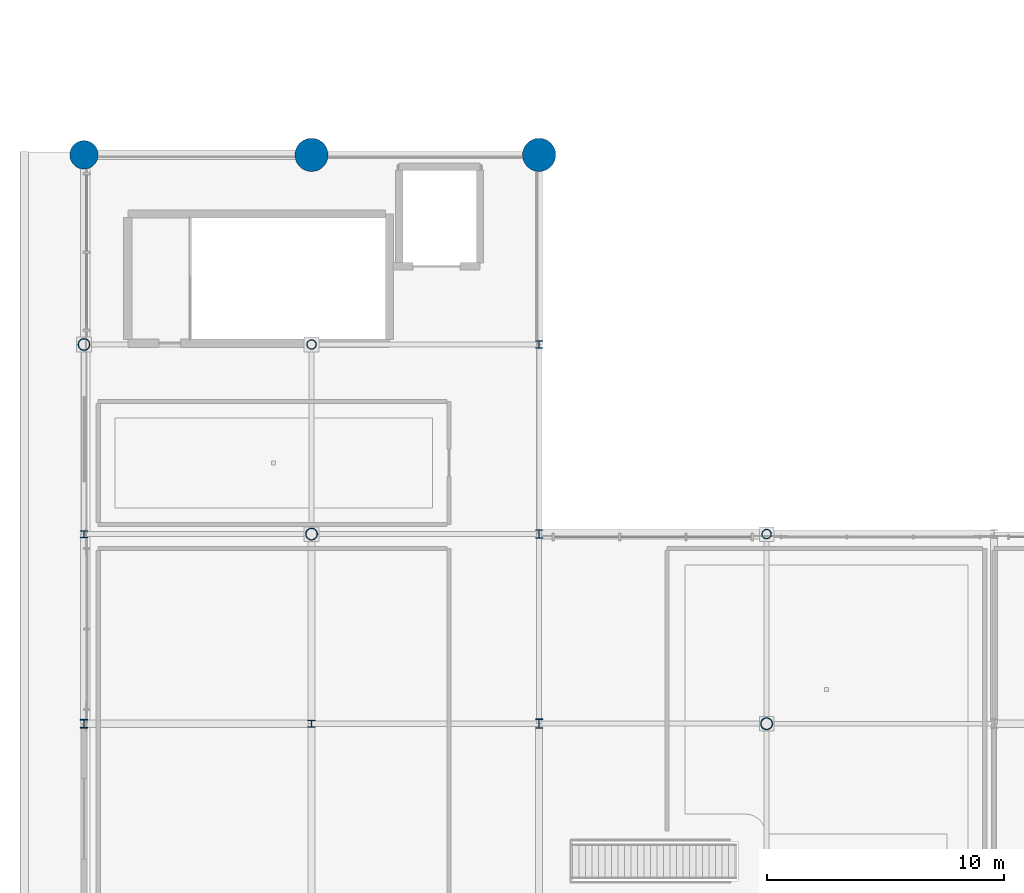
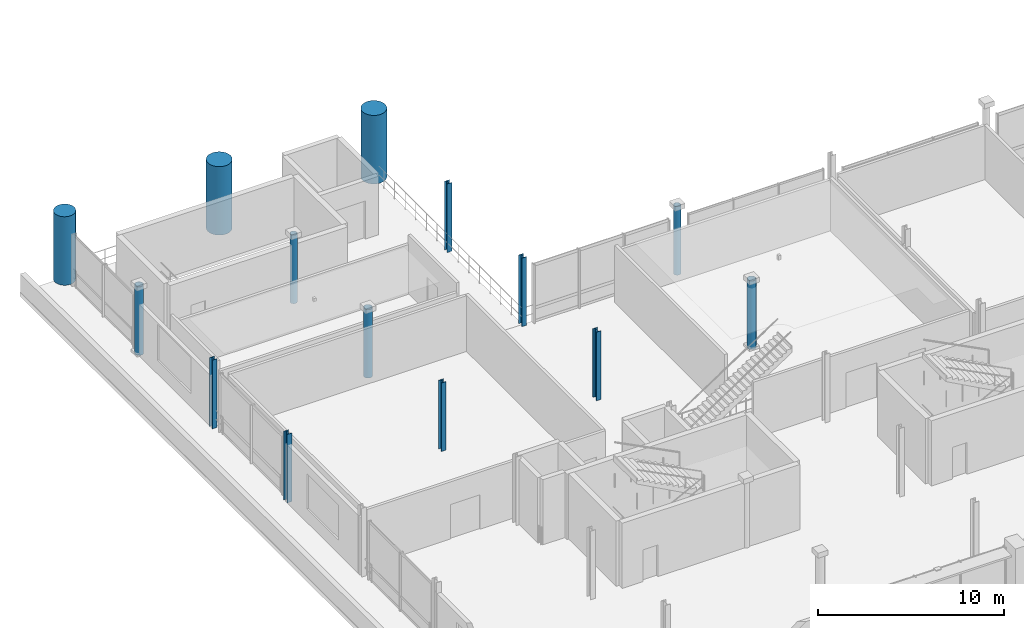
# One storey, part 3 of 59: 14 columns.
"""IFC4 building model written with IfcOpenShell, lengths in metres."""

from ifc_helpers import new_model, si_unit, direction, frame, origin, origin_2d, place, context, subcontext, project, spatial, circle, hollow_circle, i_section, extrude, material, material_profile, profile_set, type_object, element, save


model = new_model("IFC4")

# Units and contexts
model_context = context("Model", 3, precision=1e-05, world=origin(), true_north=direction((0.0, 1.0)))
body_context = subcontext(model_context, "Body", "Model", "MODEL_VIEW")
ifc_project = project(units=[si_unit("LENGTHUNIT", "METRE"), si_unit("AREAUNIT", "SQUARE_METRE"), si_unit("VOLUMEUNIT", "CUBIC_METRE"), si_unit("PLANEANGLEUNIT", "RADIAN"), si_unit("MASSUNIT", "GRAM", prefix="KILO")], contexts=[model_context])

# Site, building, storey
site_placement = place(None, origin())
site = spatial("IfcSite", under=ifc_project, at=site_placement, CompositionType="ELEMENT")
building_placement = place(site_placement, origin())
building = spatial("IfcBuilding", under=site, at=building_placement, Name="Danafjord Basin Convention Centre", CompositionType="ELEMENT")
storey_placement = place(building_placement, frame((0.0, 0.0, 15.89990234375)))
storey = spatial("IfcBuildingStorey", under=building, at=storey_placement, Name="L03", CompositionType="ELEMENT", Elevation=15.89990234375)

# Columns
ifc_material_1 = material(Name="Steel S355", Category="steel")
ifc_material_profile_1 = material_profile(ifc_material_1, hollow_circle(Radius=0.203125, WallThickness=0.02001953125, at=origin_2d()), Name="CHS 406.4x20.0")
ifc_profile_set_1 = profile_set([ifc_material_profile_1], Name="Steel S355")
column_type_1 = type_object("IfcColumnType", Name="COL-C-CHS406", PredefinedType="COLUMN", material=ifc_profile_set_1)
for number, where, z_axis, x_axis, name in (
    (1, (9.60009765625, 48.0, 0.0), (0.0, 0.0, 1.0), (1.0, 0.0, 0.0), "L03 column C-CHS406 at (9.6, 48.0)"),
    (2, (28.800048828125, 40.0, 0.0), (0.0, 0.0, 1.0), (1.0, 0.0, 0.0), "L03 column C-CHS406 at (28.8, 40.0)"),
):
    element("IfcColumn", number, at=place(storey_placement, frame(where, z_axis=z_axis, x_axis=x_axis)), inside=storey, type_object=column_type_1, Name=name, PredefinedType="COLUMN", context=body_context, shape_type="SweptSolid", body=[
        extrude(hollow_circle(Radius=0.203125, WallThickness=0.02001953125, at=origin_2d()), origin(), (0.0, 0.0, 1.0), 4.5),
    ])
ifc_material_profile_2 = material_profile(ifc_material_1, hollow_circle(Radius=0.25390625, WallThickness=0.02490234375, at=origin_2d()), Name="CHS 508.0x25.0")
ifc_profile_set_2 = profile_set([ifc_material_profile_2], Name="Steel S355")
column_type_2 = type_object("IfcColumnType", Name="COL-C-CHS508", PredefinedType="COLUMN", material=ifc_profile_set_2)
for number, where, z_axis, x_axis, name in (
    (3, (0.0, 48.0, 0.0), (0.0, 0.0, 1.0), (1.0, 0.0, 0.0), "L03 column C-CHS508 at (0.0, 48.0)"),
    (4, (9.60009765625, 40.0, 0.0), (0.0, 0.0, 1.0), (1.0, 0.0, 0.0), "L03 column C-CHS508 at (9.6, 40.0)"),
    (5, (28.800048828125, 32.0, 0.0), (0.0, 0.0, 1.0), (1.0, 0.0, 0.0), "L03 column C-CHS508 at (28.8, 32.0)"),
):
    element("IfcColumn", number, at=place(storey_placement, frame(where, z_axis=z_axis, x_axis=x_axis)), inside=storey, type_object=column_type_2, Name=name, PredefinedType="COLUMN", context=body_context, shape_type="SweptSolid", body=[
        extrude(hollow_circle(Radius=0.25390625, WallThickness=0.02490234375, at=origin_2d()), origin(), (0.0, 0.0, 1.0), 4.5),
    ])
ifc_material_profile_3 = material_profile(ifc_material_1, i_section(OverallWidth=0.300048828125, OverallDepth=0.300048828125, WebThickness=0.010986328125, FlangeThickness=0.01904296875, FilletRadius=0.027099609375, at=origin_2d()), Name="HEB 300")
ifc_profile_set_3 = profile_set([ifc_material_profile_3], Name="Steel S355")
column_type_3 = type_object("IfcColumnType", Name="COL-C-HEB300", PredefinedType="COLUMN", material=ifc_profile_set_3)
for number, where, z_axis, x_axis, name in (
    (6, (0.0, 40.0, 0.0), (0.0, 0.0, 1.0), (1.0, 0.0, 0.0), "L03 column C-HEB300 at (0.0, 40.0)"),
    (7, (9.60009765625, 32.0, 0.0), (0.0, 0.0, 1.0), (1.0, 0.0, 0.0), "L03 column C-HEB300 at (9.6, 32.0)"),
    (8, (19.199951171875, 48.0, 0.0), (0.0, 0.0, 1.0), (1.0, 0.0, 0.0), "L03 column C-HEB300 at (19.2, 48.0)"),
):
    element("IfcColumn", number, at=place(storey_placement, frame(where, z_axis=z_axis, x_axis=x_axis)), inside=storey, type_object=column_type_3, Name=name, PredefinedType="COLUMN", context=body_context, shape_type="SweptSolid", body=[
        extrude(i_section(OverallWidth=0.300048828125, OverallDepth=0.300048828125, WebThickness=0.010986328125, FlangeThickness=0.01904296875, FilletRadius=0.027099609375, at=origin_2d()), origin(), (0.0, 0.0, 1.0), 4.5),
    ])
ifc_material_profile_4 = material_profile(ifc_material_1, i_section(OverallWidth=0.300048828125, OverallDepth=0.360107421875, WebThickness=0.012451171875, FlangeThickness=0.0224609375, FilletRadius=0.027099609375, at=origin_2d()), Name="HEB 360")
ifc_profile_set_4 = profile_set([ifc_material_profile_4], Name="Steel S355")
column_type_4 = type_object("IfcColumnType", Name="COL-C-HEB360", PredefinedType="COLUMN", material=ifc_profile_set_4)
for number, where, z_axis, x_axis, name in (
    (9, (0.0, 32.0, 0.0), (0.0, 0.0, 1.0), (1.0, 0.0, 0.0), "L03 column C-HEB360 at (0.0, 32.0)"),
    (10, (19.199951171875, 40.0, 0.0), (0.0, 0.0, 1.0), (1.0, 0.0, 0.0), "L03 column C-HEB360 at (19.2, 40.0)"),
):
    element("IfcColumn", number, at=place(storey_placement, frame(where, z_axis=z_axis, x_axis=x_axis)), inside=storey, type_object=column_type_4, Name=name, PredefinedType="COLUMN", context=body_context, shape_type="SweptSolid", body=[
        extrude(i_section(OverallWidth=0.300048828125, OverallDepth=0.360107421875, WebThickness=0.012451171875, FlangeThickness=0.0224609375, FilletRadius=0.027099609375, at=origin_2d()), origin(), (0.0, 0.0, 1.0), 4.5),
    ])
ifc_material_profile_5 = material_profile(ifc_material_1, i_section(OverallWidth=0.300048828125, OverallDepth=0.39990234375, WebThickness=0.013427734375, FlangeThickness=0.02392578125, FilletRadius=0.027099609375, at=origin_2d()), Name="HEB 400")
ifc_profile_set_5 = profile_set([ifc_material_profile_5], Name="Steel S355")
column_type_5 = type_object("IfcColumnType", Name="COL-C-HEB400", PredefinedType="COLUMN", material=ifc_profile_set_5)
column_1_placement = place(storey_placement, frame((19.199951171875, 32.0, 0.0), z_axis=(0.0, 0.0, 1.0), x_axis=(1.0, 0.0, 0.0)))
element("IfcColumn", 11, at=column_1_placement, inside=storey, type_object=column_type_5, Name="L03 column C-HEB400 at (19.2, 32.0)", PredefinedType="COLUMN", context=body_context, shape_type="SweptSolid", body=[
    extrude(i_section(OverallWidth=0.300048828125, OverallDepth=0.39990234375, WebThickness=0.013427734375, FlangeThickness=0.02392578125, FilletRadius=0.027099609375, at=origin_2d()), origin(), (0.0, 0.0, 1.0), 4.5),
])
ifc_material_2 = material(Name="Concrete C50/60", Category="concrete")
ifc_material_profile_6 = material_profile(ifc_material_2, circle(Radius=0.60009765625, at=origin_2d()), Name="RC D1200")
ifc_profile_set_6 = profile_set([ifc_material_profile_6], Name="Concrete C50/60")
column_type_6 = type_object("IfcColumnType", Name="COL-C-RCD1200", PredefinedType="COLUMN", material=ifc_profile_set_6)
column_2_placement = place(storey_placement, frame((0.0, 56.0, 0.0), z_axis=(0.0, 0.0, 1.0), x_axis=(1.0, 0.0, 0.0)))
element("IfcColumn", 12, at=column_2_placement, inside=storey, type_object=column_type_6, Name="L03 column C-RCD1200 at (0.0, 56.0)", PredefinedType="COLUMN", context=body_context, shape_type="SweptSolid", body=[
    extrude(circle(Radius=0.60009765625, at=origin_2d()), origin(), (0.0, 0.0, 1.0), 4.5),
])
ifc_material_profile_7 = material_profile(ifc_material_2, circle(Radius=0.699951171875, at=origin_2d()), Name="RC D1400")
ifc_profile_set_7 = profile_set([ifc_material_profile_7], Name="Concrete C50/60")
column_type_7 = type_object("IfcColumnType", Name="COL-C-RCD1400", PredefinedType="COLUMN", material=ifc_profile_set_7)
for number, where, z_axis, x_axis, name in (
    (13, (9.60009765625, 56.0, 0.0), (0.0, 0.0, 1.0), (1.0, 0.0, 0.0), "L03 column C-RCD1400 at (9.6, 56.0)"),
    (14, (19.199951171875, 56.0, 0.0), (0.0, 0.0, 1.0), (1.0, 0.0, 0.0), "L03 column C-RCD1400 at (19.2, 56.0)"),
):
    element("IfcColumn", number, at=place(storey_placement, frame(where, z_axis=z_axis, x_axis=x_axis)), inside=storey, type_object=column_type_7, Name=name, PredefinedType="COLUMN", context=body_context, shape_type="SweptSolid", body=[
        extrude(circle(Radius=0.699951171875, at=origin_2d()), origin(), (0.0, 0.0, 1.0), 4.5),
    ])

save(model, "model.ifc")
